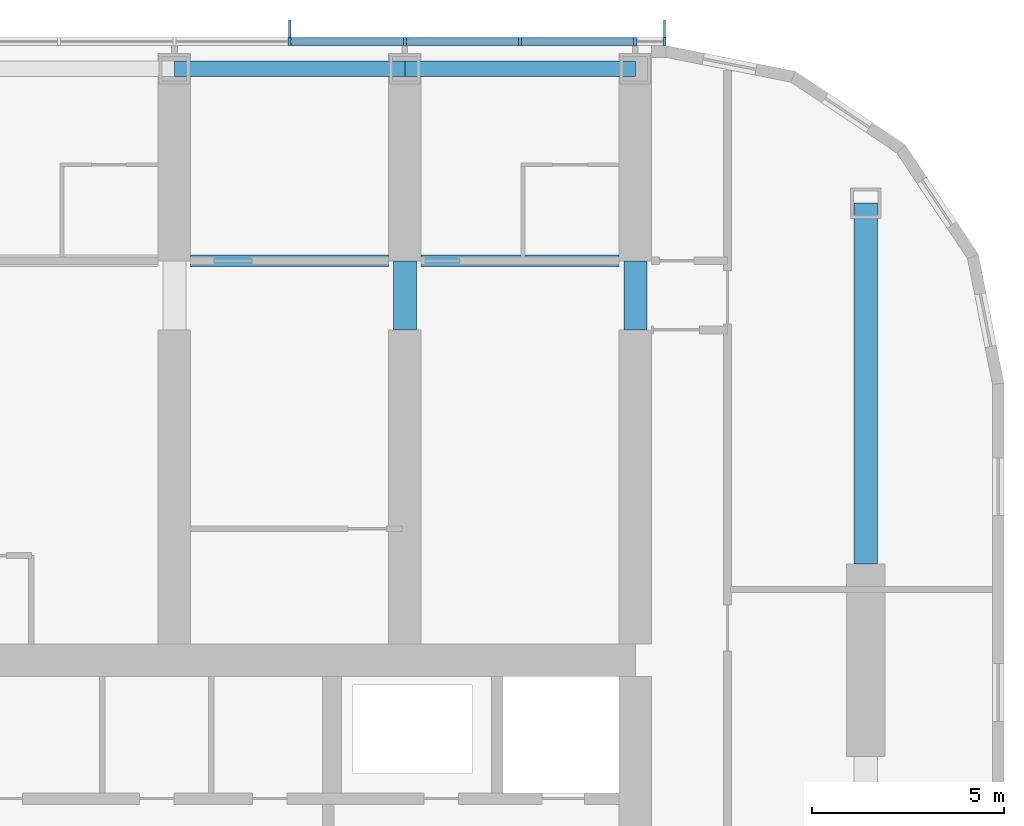
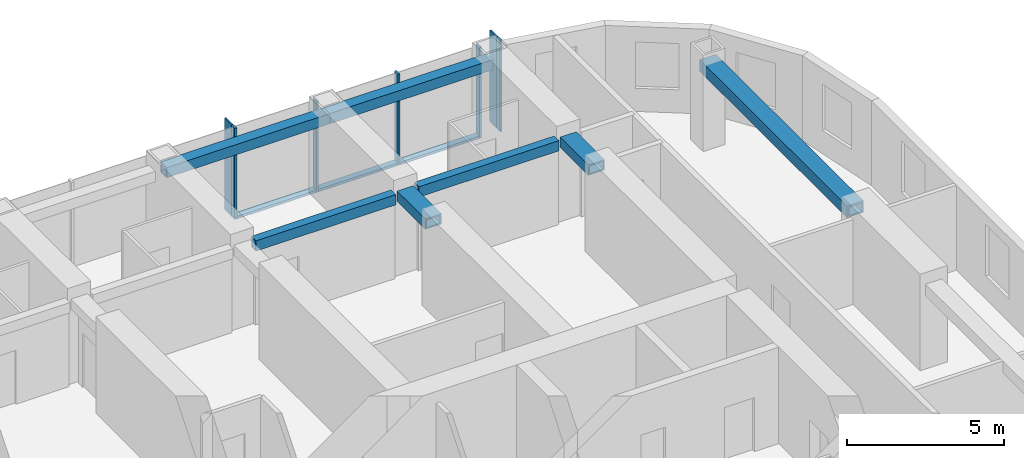
# One storey, part 5 of 22: 10 members, 7 beams, 1 element without a shape of its own.
"""IFC4 building model written with IfcOpenShell, lengths in metres."""

from ifc_helpers import new_model, si_unit, direction, frame, origin, origin_2d, place, context, subcontext, project, spatial, rectangle, hollow_rectangle, extrude, material, material_profile, profile_set, type_object, element, aggregate, save


model = new_model("IFC4")

# Units and contexts
model_context = context("Model", 3, precision=1e-05, world=origin(), true_north=direction((0.0, 1.0)))
body_context = subcontext(model_context, "Body", "Model", "MODEL_VIEW")
ifc_project = project(units=[si_unit("LENGTHUNIT", "METRE"), si_unit("AREAUNIT", "SQUARE_METRE"), si_unit("VOLUMEUNIT", "CUBIC_METRE"), si_unit("PLANEANGLEUNIT", "RADIAN"), si_unit("MASSUNIT", "GRAM", prefix="KILO")], contexts=[model_context])

# Site, building, storey
site_placement = place(None, origin())
site = spatial("IfcSite", under=ifc_project, at=site_placement, CompositionType="ELEMENT")
building_placement = place(site_placement, origin())
building = spatial("IfcBuilding", under=site, at=building_placement, Name="Orbita Commons", CompositionType="ELEMENT")
storey_placement = place(building_placement, frame((0.0, 0.0, 144.85009765625)))
storey = spatial("IfcBuildingStorey", under=building, at=storey_placement, Name="L35", CompositionType="ELEMENT", Elevation=144.85009765625)

# Curtain wall, members
ifc_material_1 = material(Name="Anodised aluminium frame, pale silver", Category="aluminium")
curtain_wall_type = type_object("IfcCurtainWallType", Name="Unitised curtain wall CW-U, full-height vision", PredefinedType="NOTDEFINED", material=ifc_material_1)
curtain_wall_placement = place(storey_placement, origin())
curtain_wall = element("IfcCurtainWall", 1, at=curtain_wall_placement, inside=storey, type_object=curtain_wall_type, Name="Curtain wall north L35", PredefinedType="NOTDEFINED")
ifc_material_2 = material(Name="Anodised aluminium, pale silver", Category="aluminium")
ifc_material_profile_1 = material_profile(ifc_material_2, rectangle(XDim=0.080078125, YDim=0.219970703125, at=origin_2d()), Name="AL 80x220")
ifc_profile_set_1 = profile_set([ifc_material_profile_1], Name="Anodised aluminium, pale silver")
member_type_1 = type_object("IfcMemberType", Name="Curtain wall mullion 80x220", PredefinedType="MULLION", material=ifc_profile_set_1)
member_1_placement = place(storey_placement, frame((66.760009765625, 54.31005859375, -0.25), z_axis=(0.0, 0.0, 1.0), x_axis=(-1.0, 0.0, 0.0)))
member_1 = element("IfcMember", 2, at=member_1_placement, type_object=member_type_1, Name="Mullion 1 CW-L35-N", PredefinedType="MULLION", context=body_context, shape_type="SweptSolid", body=[
    extrude(rectangle(XDim=0.080078125, YDim=0.219970703125, at=origin_2d()), origin(), (0.0, 0.0, 1.0), 3.5498046875),
])
member_2_placement = place(storey_placement, frame((66.0, 54.31005859375, -0.25), z_axis=(0.0, 0.0, 1.0), x_axis=(-1.0, 0.0, 0.0)))
member_2 = element("IfcMember", 3, at=member_2_placement, type_object=member_type_1, Name="Mullion 2 CW-L35-N", PredefinedType="MULLION", context=body_context, shape_type="SweptSolid", body=[
    extrude(rectangle(XDim=0.080078125, YDim=0.219970703125, at=origin_2d()), origin(), (0.0, 0.0, 1.0), 3.5498046875),
])
member_3_placement = place(storey_placement, frame((63.0, 54.31005859375, -0.25), z_axis=(0.0, 0.0, 1.0), x_axis=(-1.0, 0.0, 0.0)))
member_3 = element("IfcMember", 4, at=member_3_placement, type_object=member_type_1, Name="Mullion 3 CW-L35-N", PredefinedType="MULLION", context=body_context, shape_type="SweptSolid", body=[
    extrude(rectangle(XDim=0.080078125, YDim=0.219970703125, at=origin_2d()), origin(), (0.0, 0.0, 1.0), 3.5498046875),
])
member_4_placement = place(storey_placement, frame((60.0, 54.31005859375, -0.25), z_axis=(0.0, 0.0, 1.0), x_axis=(-1.0, 0.0, 0.0)))
member_4 = element("IfcMember", 5, at=member_4_placement, type_object=member_type_1, Name="Mullion 4 CW-L35-N", PredefinedType="MULLION", context=body_context, shape_type="SweptSolid", body=[
    extrude(rectangle(XDim=0.080078125, YDim=0.219970703125, at=origin_2d()), origin(), (0.0, 0.0, 1.0), 3.5498046875),
])
member_5_placement = place(storey_placement, frame((57.0, 54.31005859375, -0.25), z_axis=(0.0, 0.0, 1.0), x_axis=(-1.0, 0.0, 0.0)))
member_5 = element("IfcMember", 6, at=member_5_placement, type_object=member_type_1, Name="Mullion 5 CW-L35-N", PredefinedType="MULLION", context=body_context, shape_type="SweptSolid", body=[
    extrude(rectangle(XDim=0.080078125, YDim=0.219970703125, at=origin_2d()), origin(), (0.0, 0.0, 1.0), 3.5498046875),
])
ifc_material_3 = material(Name="Anodised aluminium, pale silver", Category="aluminium")
ifc_material_profile_2 = material_profile(ifc_material_3, rectangle(XDim=0.219970703125, YDim=0.10009765625, at=origin_2d()), Name="AL 220x100")
ifc_profile_set_2 = profile_set([ifc_material_profile_2], Name="Anodised aluminium, pale silver")
member_type_2 = type_object("IfcMemberType", Name="Curtain wall stack transom 220x100", PredefinedType="USERDEFINED", material=ifc_profile_set_2)
member_6_placement = place(storey_placement, frame((65.9599609375, 54.31005859375, -0.2001953125), z_axis=(-1.0, 0.0, 0.0), x_axis=(0.0, -1.0, 0.0)))
member_6 = element("IfcMember", 7, at=member_6_placement, type_object=member_type_2, Name="Transom 2.1 CW-L35-N", ObjectType="TRANSOM", PredefinedType="USERDEFINED", context=body_context, shape_type="SweptSolid", body=[
    extrude(rectangle(XDim=0.219970703125, YDim=0.10009765625, at=origin_2d()), origin(), (0.0, 0.0, 1.0), 2.919921875),
])
member_7_placement = place(storey_placement, frame((62.9599609375, 54.31005859375, -0.2001953125), z_axis=(-1.0, 0.0, 0.0), x_axis=(0.0, -1.0, 0.0)))
member_7 = element("IfcMember", 8, at=member_7_placement, type_object=member_type_2, Name="Transom 3.1 CW-L35-N", ObjectType="TRANSOM", PredefinedType="USERDEFINED", context=body_context, shape_type="SweptSolid", body=[
    extrude(rectangle(XDim=0.219970703125, YDim=0.10009765625, at=origin_2d()), origin(), (0.0, 0.0, 1.0), 2.919921875),
])
member_8_placement = place(storey_placement, frame((59.9599609375, 54.31005859375, -0.2001953125), z_axis=(-1.0, 0.0, 0.0), x_axis=(0.0, -1.0, 0.0)))
member_8 = element("IfcMember", 9, at=member_8_placement, type_object=member_type_2, Name="Transom 4.1 CW-L35-N", ObjectType="TRANSOM", PredefinedType="USERDEFINED", context=body_context, shape_type="SweptSolid", body=[
    extrude(rectangle(XDim=0.219970703125, YDim=0.10009765625, at=origin_2d()), origin(), (0.0, 0.0, 1.0), 2.919921875),
])

# Beams
ifc_material_4 = material(Name="Steel ASTM A572 Gr 50 welded plate", Category="steel")
ifc_material_profile_3 = material_profile(ifc_material_4, hollow_rectangle(XDim=0.300048828125, YDim=0.39990234375, WallThickness=0.0400390625, at=origin_2d()), Name="BOX 400x300x40")
ifc_profile_set_3 = profile_set([ifc_material_profile_3], Name="Steel ASTM A572 Gr 50 welded plate")
beam_type_1 = type_object("IfcBeamType", Name="Steel corridor link BOX 400x300x40", PredefinedType="BEAM", material=ifc_profile_set_3)
for number, where, z_axis, x_axis, name in (
    (10, (54.425048828125, 48.60009765625, 3.099853515625), (1.0, 0.0, 0.0), (0.0, 1.0, 0.0), "Corridor beam NB 10-11 L35"),
    (11, (60.425048828125, 48.60009765625, 3.099853515625), (1.0, 0.0, 0.0), (0.0, 1.0, 0.0), "Corridor beam NB 11-12 L35"),
):
    element("IfcBeam", number, at=place(storey_placement, frame(where, z_axis=z_axis, x_axis=x_axis)), inside=storey, type_object=beam_type_1, Name=name, PredefinedType="BEAM", context=body_context, shape_type="SweptSolid", body=[
        extrude(hollow_rectangle(XDim=0.300048828125, YDim=0.39990234375, WallThickness=0.0400390625, at=origin_2d()), origin(), (0.0, 0.0, 1.0), 5.14990234375),
    ])
ifc_material_5 = material(Name="Steel ASTM A572 Gr 50 welded plate", Category="steel")
ifc_material_profile_4 = material_profile(ifc_material_5, hollow_rectangle(XDim=0.60009765625, YDim=0.39990234375, WallThickness=0.050048828125, at=origin_2d()), Name="BOX 400x600x50")
ifc_profile_set_4 = profile_set([ifc_material_profile_4], Name="Steel ASTM A572 Gr 50 welded plate")
beam_type_2 = type_object("IfcBeamType", Name="Steel coupling link BOX 400x600x50", PredefinedType="LINTEL", material=ifc_profile_set_4)
for number, where, z_axis, x_axis, name in (
    (12, (60.0, 46.800048828125, 3.099853515625), (0.0, 1.0, 0.0), (-1.0, 0.0, 0.0), "Coupling beam 11 north L35"),
    (13, (66.0, 46.800048828125, 3.099853515625), (0.0, 1.0, 0.0), (-1.0, 0.0, 0.0), "Coupling beam 12 north L35"),
):
    element("IfcBeam", number, at=place(storey_placement, frame(where, z_axis=z_axis, x_axis=x_axis)), inside=storey, type_object=beam_type_2, Name=name, PredefinedType="LINTEL", context=body_context, shape_type="SweptSolid", body=[
        extrude(hollow_rectangle(XDim=0.60009765625, YDim=0.39990234375, WallThickness=0.050048828125, at=origin_2d()), origin(), (0.0, 0.0, 1.0), 1.800048828125),
    ])
ifc_material_6 = material(Name="Steel ASTM A572 Gr 50 welded plate", Category="steel")
ifc_material_profile_5 = material_profile(ifc_material_6, hollow_rectangle(XDim=0.60009765625, YDim=0.449951171875, WallThickness=0.06005859375, at=origin_2d()), Name="BOX 450x600x60")
ifc_profile_set_5 = profile_set([ifc_material_profile_5], Name="Steel ASTM A572 Gr 50 welded plate")
beam_type_3 = type_object("IfcBeamType", Name="Steel end frame link BOX 450x600x60", PredefinedType="BEAM", material=ifc_profile_set_5)
beam_placement = place(storey_placement, frame((72.0, 40.699951171875, 3.074951171875), z_axis=(0.0, 1.0, 0.0), x_axis=(-1.0, 0.0, 0.0)))
element("IfcBeam", 14, at=beam_placement, inside=storey, type_object=beam_type_3, Name="End frame beam 13 D-E L35", PredefinedType="BEAM", context=body_context, shape_type="SweptSolid", body=[
    extrude(hollow_rectangle(XDim=0.60009765625, YDim=0.449951171875, WallThickness=0.06005859375, at=origin_2d()), origin(), (0.0, 0.0, 1.0), 9.400146484375),
])
ifc_material_7 = material(Name="Steel ASTM A572 Gr 50 welded plate", Category="steel")
ifc_material_profile_6 = material_profile(ifc_material_7, hollow_rectangle(XDim=0.39990234375, YDim=0.39990234375, WallThickness=0.0400390625, at=origin_2d()), Name="BOX 400x400x40")
ifc_profile_set_6 = profile_set([ifc_material_profile_6], Name="Steel ASTM A572 Gr 50 welded plate")
beam_type_4 = type_object("IfcBeamType", Name="Steel spandrel BOX 400x400x40", PredefinedType="SPANDREL", material=ifc_profile_set_6)
for number, where, z_axis, x_axis, name in (
    (15, (54.0, 53.60009765625, 3.099853515625), (1.0, 0.0, 0.0), (0.0, 1.0, 0.0), "Spandrel beam E 10-11 L35"),
    (16, (60.0, 53.60009765625, 3.099853515625), (1.0, 0.0, 0.0), (0.0, 1.0, 0.0), "Spandrel beam E 11-12 L35"),
):
    element("IfcBeam", number, at=place(storey_placement, frame(where, z_axis=z_axis, x_axis=x_axis)), inside=storey, type_object=beam_type_4, Name=name, PredefinedType="SPANDREL", context=body_context, shape_type="SweptSolid", body=[
        extrude(hollow_rectangle(XDim=0.39990234375, YDim=0.39990234375, WallThickness=0.0400390625, at=origin_2d()), origin(), (0.0, 0.0, 1.0), 6.0),
    ])

# Member
ifc_material_8 = material(Name="Anodised aluminium, pale silver", Category="aluminium")
ifc_material_profile_7 = material_profile(ifc_material_8, rectangle(XDim=0.06005859375, YDim=0.449951171875, at=origin_2d()), Name="FIN 60x450")
ifc_profile_set_7 = profile_set([ifc_material_profile_7], Name="Anodised aluminium, pale silver")
member_type_3 = type_object("IfcMemberType", Name="Vertical fin 60x450 pale aluminium", PredefinedType="USERDEFINED", material=ifc_profile_set_7)
member_9_placement = place(storey_placement, frame((66.760009765625, 54.64501953125, -0.25), z_axis=(0.0, 0.0, 1.0), x_axis=(-1.0, 0.0, 0.0)))
member_9 = element("IfcMember", 17, at=member_9_placement, type_object=member_type_3, Name="Fin 1 CW-L35-N", ObjectType="FIN", PredefinedType="USERDEFINED", context=body_context, shape_type="SweptSolid", body=[
    extrude(rectangle(XDim=0.06005859375, YDim=0.449951171875, at=origin_2d()), origin(), (0.0, 0.0, 1.0), 3.5498046875),
])

member_10_placement = place(storey_placement, frame((57.0, 54.64501953125, -0.25), z_axis=(0.0, 0.0, 1.0), x_axis=(-1.0, 0.0, 0.0)))
member_10 = element("IfcMember", 18, at=member_10_placement, type_object=member_type_3, Name="Fin 5 CW-L35-N", ObjectType="FIN", PredefinedType="USERDEFINED", context=body_context, shape_type="SweptSolid", body=[
    extrude(rectangle(XDim=0.06005859375, YDim=0.449951171875, at=origin_2d()), origin(), (0.0, 0.0, 1.0), 3.5498046875),
])

aggregate(curtain_wall, [member_1, member_9, member_2, member_3, member_4, member_5, member_10, member_6, member_7, member_8])

save(model, "model.ifc")
